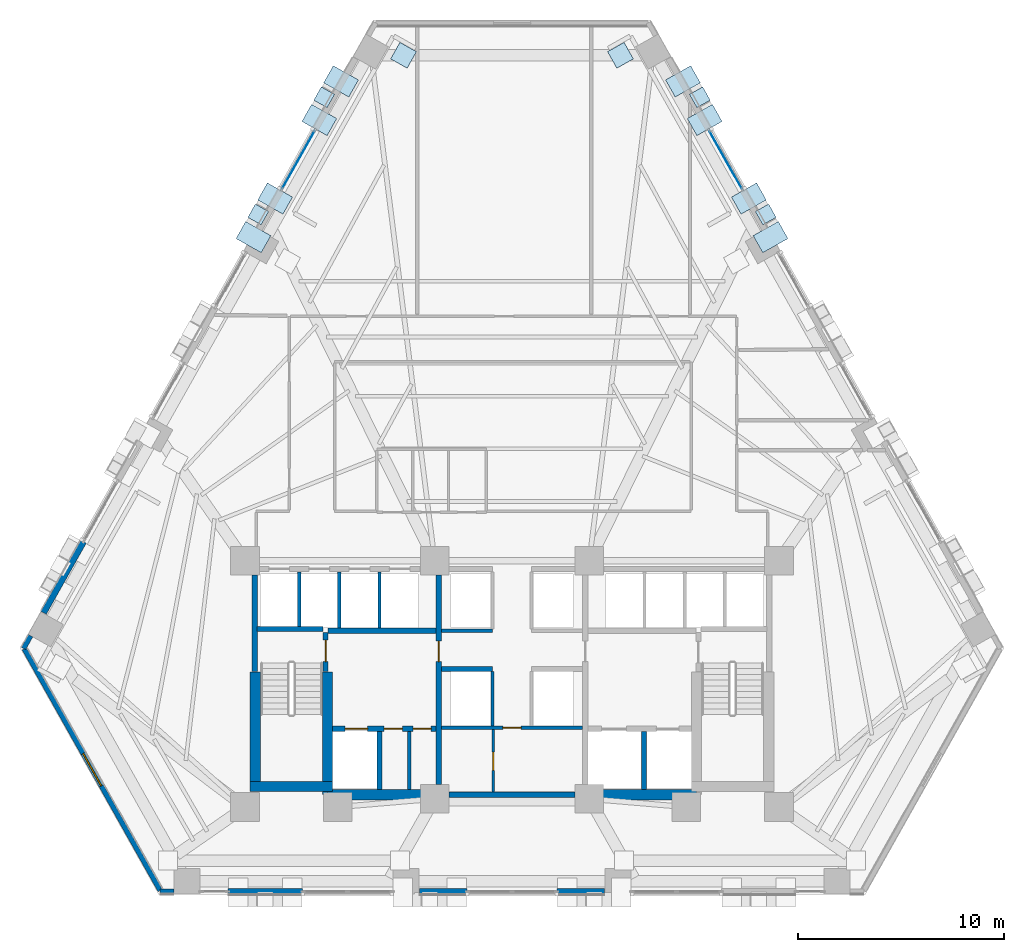
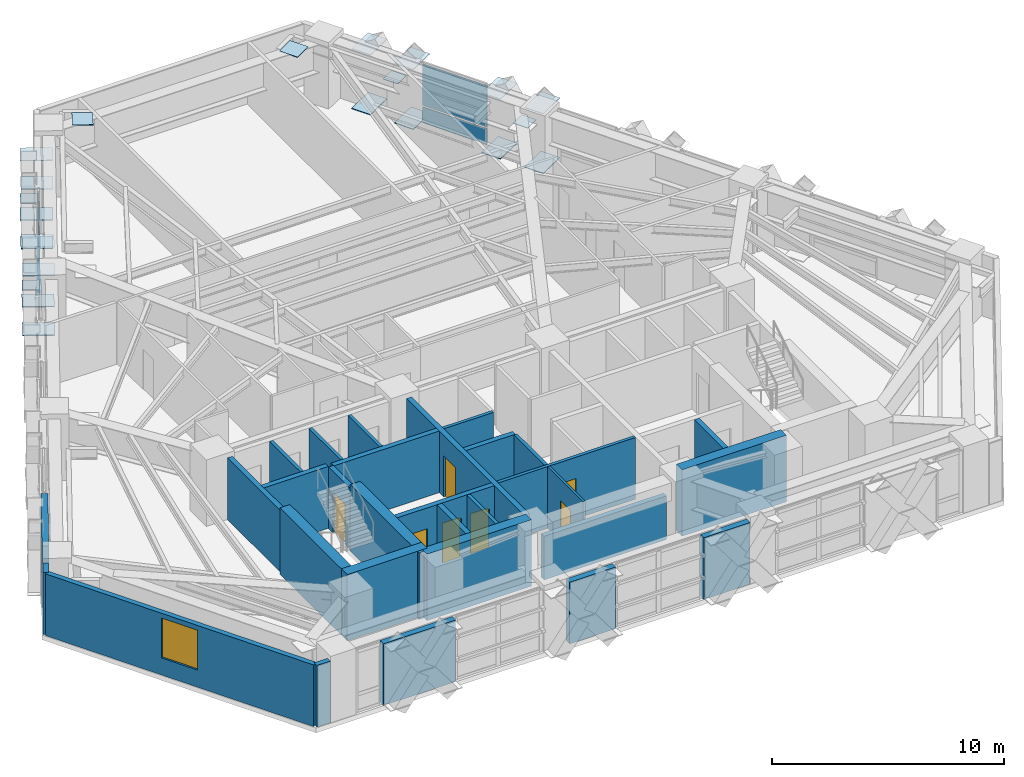
# One storey, part 7 of 14: 30 walls, 26 plates, 7 doors, 1 window, 8 openings, 2 elements without a shape of their own.
"""IFC4 building model written with IfcOpenShell, lengths in metres."""

from ifc_helpers import new_model, si_unit, direction, frame, frame_2d, origin, origin_2d, place, context, subcontext, project, spatial, rectangle, extrude, material, layer, layer_set, type_object, element, fill, aggregate, save


model = new_model("IFC4")

# Units and contexts
model_context = context("Model", 3, precision=1e-05, world=origin(), true_north=direction((0.0, 1.0)))
body_context = subcontext(model_context, "Body", "Model", "MODEL_VIEW")
ifc_project = project(units=[si_unit("LENGTHUNIT", "METRE"), si_unit("AREAUNIT", "SQUARE_METRE"), si_unit("VOLUMEUNIT", "CUBIC_METRE"), si_unit("PLANEANGLEUNIT", "RADIAN"), si_unit("MASSUNIT", "GRAM", prefix="KILO")], contexts=[model_context])

# Site, building, storey
site_placement = place(None, origin())
site = spatial("IfcSite", under=ifc_project, at=site_placement, CompositionType="ELEMENT")
building_placement = place(site_placement, origin())
building = spatial("IfcBuilding", under=site, at=building_placement, Name="Quenlor Broadcast Tower", CompositionType="ELEMENT")
storey_placement = place(building_placement, frame((0.0, 0.0, 73.10009765625)))
storey = spatial("IfcBuildingStorey", under=building, at=storey_placement, Name="L19", CompositionType="ELEMENT", Elevation=73.10009765625)

# Curtain wall, plates
ifc_material_1 = material(Name="Architectural Terracotta and Low-E Glazing", Category="masonry")
curtain_wall_type = type_object("IfcCurtainWallType", Name="Unitised Terracotta Curtain Wall System Z1", PredefinedType="NOTDEFINED", material=ifc_material_1)
curtain_wall_1_placement = place(storey_placement, origin())
curtain_wall_1 = element("IfcCurtainWall", 1, at=curtain_wall_1_placement, inside=storey, type_object=curtain_wall_type, Name="L19 Curtain Wall CW1 (L19-NEA-G1)", PredefinedType="NOTDEFINED")
ifc_material_2 = material(Name="Double Glazed Low-E Solar Glass", Category="glass")
ifc_layer_1 = layer(ifc_material_2, 0.031982421875)
ifc_layer_set_1 = layer_set([ifc_layer_1], Name="CW1 Double Glazed Vision Panel 32")
plate_type_1 = type_object("IfcPlateType", Name="CW1 Double Glazed Vision Panel 32", PredefinedType="CURTAIN_PANEL", material=ifc_layer_set_1)
plate_1_placement = place(storey_placement, frame((10.365234375, 14.646240234375, 0.079833984375), z_axis=(0.0, 0.0, 1.0), x_axis=(0.49024438836, -0.871585015751, 0.0)))
plate_1 = element("IfcPlate", 2, at=plate_1_placement, type_object=plate_type_1, Name="CW1 panel 1.1", PredefinedType="CURTAIN_PANEL", context=body_context, shape_type="SweptSolid", body=[
    extrude(rectangle(XDim=3.220947265625, YDim=0.031982421875, at=origin_2d()), origin(), (0.0, 0.0, 1.0), 0.830078125),
])
plate_2_placement = place(storey_placement, frame((10.365234375, 14.646240234375, 0.98974609375), z_axis=(0.0, 0.0, 1.0), x_axis=(0.49024438836, -0.871585015751, 0.0)))
plate_2 = element("IfcPlate", 3, at=plate_2_placement, type_object=plate_type_1, Name="CW1 panel 1.2", PredefinedType="CURTAIN_PANEL", context=body_context, shape_type="SweptSolid", body=[
    extrude(rectangle(XDim=3.220947265625, YDim=0.031982421875, at=origin_2d()), origin(), (0.0, 0.0, 1.0), 2.179931640625),
])
aggregate(curtain_wall_1, [plate_1, plate_2])

curtain_wall_2_placement = place(storey_placement, origin())
curtain_wall_2 = element("IfcCurtainWall", 4, at=curtain_wall_2_placement, inside=storey, type_object=curtain_wall_type, Name="L19 Curtain Wall CW1 (L19-NWC-G1)", PredefinedType="NOTDEFINED")
plate_3_placement = place(storey_placement, frame((-10.365234375, 14.646240234375, 0.079833984375), z_axis=(0.0, 0.0, 1.0), x_axis=(0.49024438836, 0.871585015751, 0.0)))
plate_3 = element("IfcPlate", 5, at=plate_3_placement, type_object=plate_type_1, Name="CW1 panel 1.1", PredefinedType="CURTAIN_PANEL", context=body_context, shape_type="SweptSolid", body=[
    extrude(rectangle(XDim=3.220947265625, YDim=0.031982421875, at=origin_2d()), origin(), (0.0, 0.0, 1.0), 0.830078125),
])
plate_4_placement = place(storey_placement, frame((-10.365234375, 14.646240234375, 0.98974609375), z_axis=(0.0, 0.0, 1.0), x_axis=(0.49024438836, 0.871585015751, 0.0)))
plate_4 = element("IfcPlate", 6, at=plate_4_placement, type_object=plate_type_1, Name="CW1 panel 1.2", PredefinedType="CURTAIN_PANEL", context=body_context, shape_type="SweptSolid", body=[
    extrude(rectangle(XDim=3.220947265625, YDim=0.031982421875, at=origin_2d()), origin(), (0.0, 0.0, 1.0), 2.179931640625),
])
aggregate(curtain_wall_2, [plate_3, plate_4])

# Plates
ifc_material_3 = material(Name="Steel S355", Category="steel")
ifc_layer_2 = layer(ifc_material_3, 0.031982421875)
ifc_layer_set_2 = layer_set([ifc_layer_2], Name="Lower Zone Setback Steel S355 Kink Cap Plate 920x920x32")
plate_type_2 = type_object("IfcPlateType", Name="Lower Zone Setback Steel S355 Kink Cap Plate 920x920x32", PredefinedType="USERDEFINED", material=ifc_layer_set_2)
for number, where, z_axis, x_axis, name in (
    (7, (5.26220703125, 19.718994140625, 3.2177734375), (0.0, 0.0, 1.0), (0.871575139605, 0.490261946333, 0.0), "L19 Setback Kink Plate NE4"),
    (8, (-5.26220703125, 19.718994140625, 3.2177734375), (0.0, 0.0, 1.0), (-0.871575139605, 0.490261946333, 0.0), "L19 Setback Kink Plate NW1"),
):
    element("IfcPlate", number, at=place(storey_placement, frame(where, z_axis=z_axis, x_axis=x_axis)), inside=storey, type_object=plate_type_2, Name=name, ObjectType="CAP PLATE", PredefinedType="USERDEFINED", context=body_context, shape_type="SweptSolid", body=[
        extrude(rectangle(XDim=0.919921875, YDim=0.919921875, at=origin_2d()), origin(), (0.0, 0.0, 1.0), 0.031982421875),
    ])
ifc_material_4 = material(Name="Steel S355", Category="steel")
ifc_layer_3 = layer(ifc_material_4, 0.028076171875)
ifc_layer_set_3 = layer_set([ifc_layer_3], Name="Perimeter Lattice Node Steel S355 Cap Plate 740x740x28")
plate_type_3 = type_object("IfcPlateType", Name="Perimeter Lattice Node Steel S355 Cap Plate 740x740x28", PredefinedType="USERDEFINED", material=ifc_layer_set_3)
for number, where, z_axis, x_axis, name in (
    (9, (9.111083984375, 17.681640625, 1.61572265625), (0.0, 0.0, 1.0), (0.490295412055, -0.871556314255, 0.0), "L19 Diamond Lattice Crossing Node NE-C1"),
    (10, (12.30810546875, 11.998291015625, 1.61572265625), (0.0, 0.0, 1.0), (0.490295412055, -0.871556314255, 0.0), "L19 Diamond Lattice Crossing Node NE-C2"),
    (11, (-12.30810546875, 11.998291015625, 1.61572265625), (0.0, 0.0, 1.0), (0.490295412055, 0.871556314255, 0.0), "L19 Diamond Lattice Crossing Node NW-C4"),
    (12, (-9.111083984375, 17.681640625, 1.61572265625), (0.0, 0.0, 1.0), (0.490295412055, 0.871556314255, 0.0), "L19 Diamond Lattice Crossing Node NW-C5"),
):
    element("IfcPlate", number, at=place(storey_placement, frame(where, z_axis=z_axis, x_axis=x_axis)), inside=storey, type_object=plate_type_3, Name=name, ObjectType="CAP PLATE", PredefinedType="USERDEFINED", context=body_context, shape_type="SweptSolid", body=[
        extrude(rectangle(XDim=0.739990234375, YDim=0.739990234375, at=origin_2d()), origin(), (0.0, 0.0, 1.0), 0.028076171875),
    ])
ifc_material_5 = material(Name="Steel S355", Category="steel")
ifc_layer_4 = layer(ifc_material_5, 0.035888671875)
ifc_layer_set_4 = layer_set([ifc_layer_4], Name="Transfer Truss Steel S355 Gusset Node Plate 1400x950x36")
plate_type_4 = type_object("IfcPlateType", Name="Transfer Truss Steel S355 Gusset Node Plate 1400x950x36", PredefinedType="SHEET", material=ifc_layer_set_4)
for number, where, z_axis, x_axis, name in (
    (13, (8.292724609375, 18.453125, 0.0419921875), (0.0, 0.0, 1.0), (0.871556314255, 0.490295412055, 0.0), "L19 Lattice Tie Gusset Node NE-B1"),
    (14, (9.345703125, 16.58154296875, 3.18212890625), (0.0, 0.0, 1.0), (0.871556314255, 0.490295412055, 0.0), "L19 Lattice Tie Gusset Node NE-T2"),
    (15, (9.345703125, 16.58154296875, 0.0419921875), (0.0, 0.0, 1.0), (0.871556314255, 0.490295412055, 0.0), "L19 Lattice Tie Gusset Node NE-B2"),
    (16, (8.292724609375, 18.453125, 3.18212890625), (0.0, 0.0, 1.0), (0.871556314255, 0.490295412055, 0.0), "L19 Lattice Tie Gusset Node NE-T1"),
    (17, (11.489501953125, 12.77001953125, 0.0419921875), (0.0, 0.0, 1.0), (0.871556314255, 0.490295412055, 0.0), "L19 Lattice Tie Gusset Node NE-B4"),
    (18, (12.54248046875, 10.898193359375, 3.18212890625), (0.0, 0.0, 1.0), (0.871556314255, 0.490295412055, 0.0), "L19 Lattice Tie Gusset Node NE-T5"),
    (19, (12.54248046875, 10.898193359375, 0.0419921875), (0.0, 0.0, 1.0), (0.871556314255, 0.490295412055, 0.0), "L19 Lattice Tie Gusset Node NE-B5"),
    (20, (11.489501953125, 12.77001953125, 3.18212890625), (0.0, 0.0, 1.0), (0.871556314255, 0.490295412055, 0.0), "L19 Lattice Tie Gusset Node NE-T4"),
    (21, (-12.54248046875, 10.898193359375, 0.0419921875), (0.0, 0.0, 1.0), (-0.871556314255, 0.490295412055, 0.0), "L19 Lattice Tie Gusset Node NW-B10"),
    (22, (-11.489501953125, 12.77001953125, 3.18212890625), (0.0, 0.0, 1.0), (-0.871556314255, 0.490295412055, 0.0), "L19 Lattice Tie Gusset Node NW-T11"),
    (23, (-11.489501953125, 12.77001953125, 0.0419921875), (0.0, 0.0, 1.0), (-0.871556314255, 0.490295412055, 0.0), "L19 Lattice Tie Gusset Node NW-B11"),
    (24, (-12.54248046875, 10.898193359375, 3.18212890625), (0.0, 0.0, 1.0), (-0.871556314255, 0.490295412055, 0.0), "L19 Lattice Tie Gusset Node NW-T10"),
    (25, (-9.345703125, 16.58154296875, 0.0419921875), (0.0, 0.0, 1.0), (-0.871556314255, 0.490295412055, 0.0), "L19 Lattice Tie Gusset Node NW-B13"),
    (26, (-8.292724609375, 18.453125, 3.18212890625), (0.0, 0.0, 1.0), (-0.871556314255, 0.490295412055, 0.0), "L19 Lattice Tie Gusset Node NW-T14"),
    (27, (-8.292724609375, 18.453125, 0.0419921875), (0.0, 0.0, 1.0), (-0.871556314255, 0.490295412055, 0.0), "L19 Lattice Tie Gusset Node NW-B14"),
    (28, (-9.345703125, 16.58154296875, 3.18212890625), (0.0, 0.0, 1.0), (-0.871556314255, 0.490295412055, 0.0), "L19 Lattice Tie Gusset Node NW-T13"),
):
    element("IfcPlate", number, at=place(storey_placement, frame(where, z_axis=z_axis, x_axis=x_axis)), inside=storey, type_object=plate_type_4, Name=name, PredefinedType="SHEET", context=body_context, shape_type="SweptSolid", body=[
        extrude(rectangle(XDim=1.39990234375, YDim=0.949951171875, at=origin_2d()), origin(), (0.0, 0.0, 1.0), 0.035888671875),
    ])

# Walls
ifc_material_6 = material(Name="Concrete C65/80", Category="concrete")
ifc_layer_5 = layer(ifc_material_6, 0.5)
ifc_layer_set_5 = layer_set([ifc_layer_5], Name="Core Concrete C65/80 Shear Wall 500")
wall_type_1 = type_object("IfcWallType", Name="Core Concrete C65/80 Shear Wall 500", PredefinedType="SHEAR", material=ifc_layer_set_5)
wall_1_placement = place(storey_placement, frame((-12.699951171875, -15.75, 0.0), z_axis=(0.0, 0.0, 1.0), x_axis=(1.0, 0.0, 0.0)))
element("IfcWall", 29, at=wall_1_placement, inside=storey, type_object=wall_type_1, Name="L19 Core Shear Wall WS-W1", PredefinedType="SHEAR", context=body_context, shape_type="SweptSolid", body=[
    extrude(rectangle(XDim=4.0, YDim=0.5, at=frame_2d((2.0, 0.0))), origin(), (0.0, 0.0, 1.0), 3.5),
])
for number, where, z_axis, x_axis, name in (
    (30, (-8.949951171875, -16.14990234375, 0.0), (0.0, 0.0, 1.0), (1.0, 0.0, 0.0), "L19 Core Shear Wall WS-W2"),
    (31, (3.75, -16.14990234375, 0.0), (0.0, 0.0, 1.0), (1.0, 0.0, 0.0), "L19 Core Shear Wall WS-E1"),
):
    element("IfcWall", number, at=place(storey_placement, frame(where, z_axis=z_axis, x_axis=x_axis)), inside=storey, type_object=wall_type_1, Name=name, PredefinedType="SHEAR", context=body_context, shape_type="SweptSolid", body=[
        extrude(rectangle(XDim=5.199951171875, YDim=0.5, at=frame_2d((2.60009765625, 0.0))), origin(), (0.0, 0.0, 1.0), 3.5),
    ])
wall_2_placement = place(storey_placement, frame((-12.449951171875, -15.75, 0.0), z_axis=(0.0, 0.0, 1.0), x_axis=(0.0, 1.0, 0.0)))
element("IfcWall", 32, at=wall_2_placement, inside=storey, type_object=wall_type_1, Name="L19 Core Shear Wall WF-W", PredefinedType="SHEAR", context=body_context, shape_type="SweptSolid", body=[
    extrude(rectangle(XDim=5.550048828125, YDim=0.5, at=frame_2d((2.77490234375, 0.0))), origin(), (0.0, 0.0, 1.0), 3.5),
])
wall_3_placement = place(storey_placement, frame((-8.949951171875, -16.14990234375, 0.0), z_axis=(0.0, 0.0, 1.0), x_axis=(0.0, 1.0, 0.0)))
element("IfcWall", 33, at=wall_3_placement, inside=storey, type_object=wall_type_1, Name="L19 Core Shear Wall WI-W", PredefinedType="SHEAR", context=body_context, shape_type="SweptSolid", body=[
    extrude(rectangle(XDim=5.949951171875, YDim=0.5, at=frame_2d((2.97509765625, 0.0))), origin(), (0.0, 0.0, 1.0), 3.5),
])

# Wall, opening, door
ifc_material_7 = material(Name="Concrete C40/50", Category="concrete")
ifc_layer_6 = layer(ifc_material_7, 0.25)
ifc_layer_set_6 = layer_set([ifc_layer_6], Name="Fire Rated Concrete C40/50 Core Wall 250")
wall_type_2 = type_object("IfcWallType", Name="Fire Rated Concrete C40/50 Core Wall 250", PredefinedType="PARTITIONING", material=ifc_layer_set_6)
wall_4_placement = place(storey_placement, frame((-9.0400390625, -10.179931640625, 0.0), z_axis=(0.0, 0.0, 1.0), x_axis=(0.0, 1.0, 0.0)))
wall_4 = element("IfcWall", 34, at=wall_4_placement, inside=storey, type_object=wall_type_2, Name="L19 Interior Wall CW-ST1-DR", PredefinedType="PARTITIONING", context=body_context, shape_type="SweptSolid", body=[
    extrude(rectangle(XDim=1.89990234375, YDim=0.25, at=frame_2d((0.949951171875, 0.0))), origin(), (0.0, 0.0, 1.0), 3.25),
])
opening_1_placement = place(wall_4_placement, frame((0.47998046875, 0.0, 0.0)))
opening_1 = element("IfcOpeningElement", 35, at=opening_1_placement, cuts=wall_4, Name="Opening FD-1", PredefinedType="OPENING", context=body_context, shape_type="SweptSolid", body=[
    extrude(rectangle(XDim=1.050048828125, YDim=2.14990234375, at=frame_2d((0.52490234375, 1.074951171875))), frame((0.0, 0.135009765625, 0.0), z_axis=(0.0, -1.0, 0.0), x_axis=(1.0, 0.0, 0.0)), (0.0, 0.0, 1.0), 0.27001953125),
])
ifc_material_8 = material(Name="Fire Rated Steel Door Leaf", Category="steel")
door_type_1 = type_object("IfcDoorType", Name="Fire Isolated Stair Door 1050x2150", OperationType="NOTDEFINED", PredefinedType="DOOR", material=ifc_material_8)
door_1_placement = place(opening_1_placement, origin())
door_1 = element("IfcDoor", 36, at=door_1_placement, inside=storey, type_object=door_type_1, Name="L19 Door DR-ST1", OperationType="SINGLE_SWING_LEFT", OverallHeight=2.14990234375, OverallWidth=1.050048828125, PredefinedType="DOOR", context=body_context, shape_type="SweptSolid", body=[
    extrude(rectangle(XDim=1.050048828125, YDim=2.14990234375, at=frame_2d((0.52490234375, 1.074951171875))), frame((0.0, 0.02490234375, 0.0), z_axis=(0.0, -1.0, 0.0), x_axis=(1.0, 0.0, 0.0)), (0.0, 0.0, 1.0), 0.050048828125),
])
fill(opening_1, door_1)

# Walls
wall_5_placement = place(storey_placement, frame((-12.3798828125, -8.1201171875, 0.0), z_axis=(0.0, 0.0, 1.0), x_axis=(1.0, 0.0, 0.0)))
element("IfcWall", 37, at=wall_5_placement, inside=storey, type_object=wall_type_2, Name="L19 Interior Wall CW-ST1-N", PredefinedType="PARTITIONING", context=body_context, shape_type="SweptSolid", body=[
    extrude(rectangle(XDim=3.219970703125, YDim=0.25, at=frame_2d((1.60986328125, 0.0))), origin(), (0.0, 0.0, 1.0), 3.25),
])
wall_6_placement = place(storey_placement, frame((-12.47998046875, -10.179931640625, 0.0), z_axis=(0.0, 0.0, 1.0), x_axis=(0.0, 1.0, 0.0)))
element("IfcWall", 38, at=wall_6_placement, inside=storey, type_object=wall_type_2, Name="L19 Interior Wall CW-ST1-W2", PredefinedType="PARTITIONING", context=body_context, shape_type="SweptSolid", body=[
    extrude(rectangle(XDim=4.677978515625, YDim=0.25, at=frame_2d((2.3388671875, 0.0))), origin(), (0.0, 0.0, 1.0), 3.25),
])

# Wall, openings, doors
wall_7_placement = place(storey_placement, frame((-8.697998046875, -12.949951171875, 0.0), z_axis=(0.0, 0.0, 1.0), x_axis=(1.0, 0.0, 0.0)))
wall_7 = element("IfcWall", 39, at=wall_7_placement, inside=storey, type_object=wall_type_2, Name="L19 Interior Wall CW-FFW-S", PredefinedType="PARTITIONING", context=body_context, shape_type="SweptSolid", body=[
    extrude(rectangle(XDim=5.01806640625, YDim=0.25, at=frame_2d((2.509033203125, 0.0))), origin(), (0.0, 0.0, 1.0), 3.25),
])
opening_2_placement = place(wall_7_placement, frame((0.597900390625, 0.0, 0.0)))
opening_2 = element("IfcOpeningElement", 40, at=opening_2_placement, cuts=wall_7, Name="Opening LD-FFL-1", PredefinedType="OPENING", context=body_context, shape_type="SweptSolid", body=[
    extrude(rectangle(XDim=1.10009765625, YDim=2.14990234375, at=frame_2d((0.550048828125, 1.074951171875))), frame((0.0, 0.135009765625, 0.0), z_axis=(0.0, -1.0, 0.0), x_axis=(1.0, 0.0, 0.0)), (0.0, 0.0, 1.0), 0.27001953125),
])
opening_3_placement = place(wall_7_placement, frame((2.498046875, 0.0, 0.0)))
opening_3 = element("IfcOpeningElement", 41, at=opening_3_placement, cuts=wall_7, Name="Opening TD-1", PredefinedType="OPENING", context=body_context, shape_type="SweptSolid", body=[
    extrude(rectangle(XDim=0.8798828125, YDim=2.10009765625, at=frame_2d((0.43994140625, 1.050048828125))), frame((0.0, 0.135009765625, 0.0), z_axis=(0.0, -1.0, 0.0), x_axis=(1.0, 0.0, 0.0)), (0.0, 0.0, 1.0), 0.27001953125),
])
opening_4_placement = place(wall_7_placement, frame((3.89794921875, 0.0, 0.0)))
opening_4 = element("IfcOpeningElement", 42, at=opening_4_placement, cuts=wall_7, Name="Opening TD-1", PredefinedType="OPENING", context=body_context, shape_type="SweptSolid", body=[
    extrude(rectangle(XDim=0.8798828125, YDim=2.10009765625, at=frame_2d((0.43994140625, 1.050048828125))), frame((0.0, 0.135009765625, 0.0), z_axis=(0.0, -1.0, 0.0), x_axis=(1.0, 0.0, 0.0)), (0.0, 0.0, 1.0), 0.27001953125),
])
ifc_material_9 = material(Name="Brushed Stainless Steel", Category="steel")
door_type_2 = type_object("IfcDoorType", Name="Emergency Lift Sliding Landing Door 1100x2150", OperationType="NOTDEFINED", PredefinedType="DOOR", material=ifc_material_9)
door_2_placement = place(opening_2_placement, origin())
door_2 = element("IfcDoor", 43, at=door_2_placement, inside=storey, type_object=door_type_2, Name="L19 Door LD-FFL-1", OperationType="SLIDING_TO_LEFT", OverallHeight=2.14990234375, OverallWidth=1.10009765625, PredefinedType="DOOR", context=body_context, shape_type="SweptSolid", body=[
    extrude(rectangle(XDim=1.10009765625, YDim=2.14990234375, at=frame_2d((0.550048828125, 1.074951171875))), frame((0.0, 0.02490234375, 0.0), z_axis=(0.0, -1.0, 0.0), x_axis=(1.0, 0.0, 0.0)), (0.0, 0.0, 1.0), 0.050048828125),
])
fill(opening_2, door_2)
ifc_material_10 = material(Name="Fire Rated Steel Access Panel", Category="steel")
door_type_3 = type_object("IfcDoorType", Name="Riser Shaft Rated Access Trapdoor 880x2100", OperationType="NOTDEFINED", PredefinedType="TRAPDOOR", material=ifc_material_10)
door_3_placement = place(opening_3_placement, origin())
door_3 = element("IfcDoor", 44, at=door_3_placement, inside=storey, type_object=door_type_3, Name="L19 Door DR-ELR", OperationType="SINGLE_SWING_LEFT", OverallHeight=2.10009765625, OverallWidth=0.8798828125, PredefinedType="TRAPDOOR", context=body_context, shape_type="SweptSolid", body=[
    extrude(rectangle(XDim=0.8798828125, YDim=2.10009765625, at=frame_2d((0.43994140625, 1.050048828125))), frame((0.0, 0.02490234375, 0.0), z_axis=(0.0, -1.0, 0.0), x_axis=(1.0, 0.0, 0.0)), (0.0, 0.0, 1.0), 0.050048828125),
])
fill(opening_3, door_3)
door_4_placement = place(opening_4_placement, origin())
door_4 = element("IfcDoor", 45, at=door_4_placement, inside=storey, type_object=door_type_3, Name="L19 Door DR-CMR", OperationType="SINGLE_SWING_RIGHT", OverallHeight=2.10009765625, OverallWidth=0.8798828125, PredefinedType="TRAPDOOR", context=body_context, shape_type="SweptSolid", body=[
    extrude(rectangle(XDim=0.8798828125, YDim=2.10009765625, at=frame_2d((0.43994140625, 1.050048828125))), frame((0.0, 0.02490234375, 0.0), z_axis=(0.0, -1.0, 0.0), x_axis=(1.0, 0.0, 0.0)), (0.0, 0.0, 1.0), 0.050048828125),
])
fill(opening_4, door_4)

# Walls
for number, where, z_axis, x_axis, name in (
    (46, (-6.419921875, -15.89794921875, 0.0), (0.0, 0.0, 1.0), (0.0, 1.0, 0.0), "L19 Interior Wall CW-FF1-E"),
    (47, (6.39990234375, -15.89794921875, 0.0), (0.0, 0.0, 1.0), (0.0, 1.0, 0.0), "L19 Interior Wall CW-SV1-E"),
):
    element("IfcWall", number, at=place(storey_placement, frame(where, z_axis=z_axis, x_axis=x_axis)), inside=storey, type_object=wall_type_2, Name=name, PredefinedType="PARTITIONING", context=body_context, shape_type="SweptSolid", body=[
        extrude(rectangle(XDim=2.807861328125, YDim=0.25, at=frame_2d((1.40380859375, 0.0))), origin(), (0.0, 0.0, 1.0), 3.25),
    ])
wall_8_placement = place(storey_placement, frame((-8.919921875, -8.199951171875, 0.0), z_axis=(0.0, 0.0, 1.0), x_axis=(1.0, 0.0, 0.0)))
element("IfcWall", 48, at=wall_8_placement, inside=storey, type_object=wall_type_2, Name="L19 Interior Wall CW-FFW-N", PredefinedType="PARTITIONING", context=body_context, shape_type="SweptSolid", body=[
    extrude(rectangle(XDim=5.239990234375, YDim=0.25, at=frame_2d((2.6201171875, 0.0))), origin(), (0.0, 0.0, 1.0), 3.25),
])

# Wall, opening, door
wall_9_placement = place(storey_placement, frame((-3.550048828125, -15.64794921875, 0.0), z_axis=(0.0, 0.0, 1.0), x_axis=(0.0, 1.0, 0.0)))
wall_9 = element("IfcWall", 49, at=wall_9_placement, inside=storey, type_object=wall_type_2, Name="L19 Interior Wall CW-FFW-E", PredefinedType="PARTITIONING", context=body_context, shape_type="SweptSolid", body=[
    extrude(rectangle(XDim=10.14599609375, YDim=0.25, at=frame_2d((5.072998046875, 0.0))), origin(), (0.0, 0.0, 1.0), 3.25),
])
opening_5_placement = place(wall_9_placement, frame((5.947998046875, 0.0, 0.0)))
opening_5 = element("IfcOpeningElement", 50, at=opening_5_placement, cuts=wall_9, Name="Opening FD-2", PredefinedType="OPENING", context=body_context, shape_type="SweptSolid", body=[
    extrude(rectangle(XDim=1.0, YDim=2.14990234375, at=frame_2d((0.5, 1.074951171875))), frame((0.0, 0.135009765625, 0.0), z_axis=(0.0, -1.0, 0.0), x_axis=(1.0, 0.0, 0.0)), (0.0, 0.0, 1.0), 0.27001953125),
])
ifc_material_11 = material(Name="Fire Rated Glazed Steel Door", Category="steel")
door_type_4 = type_object("IfcDoorType", Name="Firefighting Lobby Smoke Door 1000x2150", OperationType="NOTDEFINED", PredefinedType="DOOR", material=ifc_material_11)
door_5_placement = place(opening_5_placement, origin())
door_5 = element("IfcDoor", 51, at=door_5_placement, inside=storey, type_object=door_type_4, Name="L19 Door DR-FFLW", OperationType="SINGLE_SWING_RIGHT", OverallHeight=2.14990234375, OverallWidth=1.0, PredefinedType="DOOR", context=body_context, shape_type="SweptSolid", body=[
    extrude(rectangle(XDim=1.0, YDim=2.14990234375, at=frame_2d((0.5, 1.074951171875))), frame((0.0, 0.02490234375, 0.0), z_axis=(0.0, -1.0, 0.0), x_axis=(1.0, 0.0, 0.0)), (0.0, 0.0, 1.0), 0.050048828125),
])
fill(opening_5, door_5)

# Walls
wall_10_placement = place(storey_placement, frame((-3.048095703125, -16.14990234375, 0.0), z_axis=(0.0, 0.0, 1.0), x_axis=(1.0, 0.0, 0.0)))
element("IfcWall", 52, at=wall_10_placement, inside=storey, type_object=wall_type_2, Name="L19 Interior Wall CW-MS-S", PredefinedType="PARTITIONING", context=body_context, shape_type="SweptSolid", body=[
    extrude(rectangle(XDim=6.09619140625, YDim=0.25, at=frame_2d((3.048095703125, 0.0))), origin(), (0.0, 0.0, 1.0), 2.2998046875),
])
wall_11_placement = place(storey_placement, frame((-3.419921875, -10.050048828125, 0.0), z_axis=(0.0, 0.0, 1.0), x_axis=(1.0, 0.0, 0.0)))
element("IfcWall", 53, at=wall_11_placement, inside=storey, type_object=wall_type_2, Name="L19 Interior Wall CW-MS-N1", PredefinedType="PARTITIONING", context=body_context, shape_type="SweptSolid", body=[
    extrude(rectangle(XDim=2.469970703125, YDim=0.25, at=frame_2d((1.23486328125, 0.0))), origin(), (0.0, 0.0, 1.0), 3.25),
])
ifc_material_12 = material(Name="Gypsum Fireboard Partition", Category="other")
ifc_layer_7 = layer(ifc_material_12, 0.159912109375)
ifc_layer_set_7 = layer_set([ifc_layer_7], Name="Fire Rated Shaft and Corridor Partition 160")
wall_type_3 = type_object("IfcWallType", Name="Fire Rated Shaft and Corridor Partition 160", PredefinedType="PARTITIONING", material=ifc_layer_set_7)
wall_12_placement = place(storey_placement, frame((-4.97998046875, -15.89794921875, 0.0), z_axis=(0.0, 0.0, 1.0), x_axis=(0.0, 1.0, 0.0)))
element("IfcWall", 54, at=wall_12_placement, inside=storey, type_object=wall_type_3, Name="L19 Interior Wall CW-ELR-E", PredefinedType="PARTITIONING", context=body_context, shape_type="SweptSolid", body=[
    extrude(rectangle(XDim=2.807861328125, YDim=0.159912109375, at=frame_2d((1.40380859375, 0.0))), origin(), (0.0, 0.0, 1.0), 3.25),
])
wall_13_placement = place(storey_placement, frame((-10.324951171875, -7.992919921875, 0.0), z_axis=(0.0, 0.0, 1.0), x_axis=(0.0, 1.0, 0.0)))
element("IfcWall", 55, at=wall_13_placement, inside=storey, type_object=wall_type_3, Name="L19 Interior Wall CW-PLL-D1", PredefinedType="PARTITIONING", context=body_context, shape_type="SweptSolid", body=[
    extrude(rectangle(XDim=2.65283203125, YDim=0.159912109375, at=frame_2d((1.326416015625, 0.0))), origin(), (0.0, 0.0, 1.0), 3.25),
])
for number, where, z_axis, x_axis, name in (
    (56, (-8.375, -8.072998046875, 0.0), (0.0, 0.0, 1.0), (0.0, 1.0, 0.0), "L19 Interior Wall CW-PLL-D2"),
    (57, (-6.425048828125, -8.072998046875, 0.0), (0.0, 0.0, 1.0), (0.0, 1.0, 0.0), "L19 Interior Wall CW-PLL-D3"),
):
    element("IfcWall", number, at=place(storey_placement, frame(where, z_axis=z_axis, x_axis=x_axis)), inside=storey, type_object=wall_type_3, Name=name, PredefinedType="PARTITIONING", context=body_context, shape_type="SweptSolid", body=[
        extrude(rectangle(XDim=2.73291015625, YDim=0.159912109375, at=frame_2d((1.366455078125, 0.0))), origin(), (0.0, 0.0, 1.0), 3.25),
    ])
wall_14_placement = place(storey_placement, frame((-3.419921875, -8.199951171875, 0.0), z_axis=(0.0, 0.0, 1.0), x_axis=(1.0, 0.0, 0.0)))
element("IfcWall", 58, at=wall_14_placement, inside=storey, type_object=wall_type_3, Name="L19 Interior Wall CW-M-BACK1", PredefinedType="PARTITIONING", context=body_context, shape_type="SweptSolid", body=[
    extrude(rectangle(XDim=2.469970703125, YDim=0.159912109375, at=frame_2d((1.23486328125, 0.0))), origin(), (0.0, 0.0, 1.0), 3.25),
])

# Wall, opening, door
wall_15_placement = place(storey_placement, frame((-3.419921875, -12.89990234375, 0.0), z_axis=(0.0, 0.0, 1.0), x_axis=(1.0, 0.0, 0.0)))
wall_15 = element("IfcWall", 59, at=wall_15_placement, inside=storey, type_object=wall_type_3, Name="L19 Interior Wall CW-MS-B", PredefinedType="PARTITIONING", context=body_context, shape_type="SweptSolid", body=[
    extrude(rectangle(XDim=6.83984375, YDim=0.159912109375, at=frame_2d((3.419921875, 0.0))), origin(), (0.0, 0.0, 1.0), 3.25),
])
opening_6_placement = place(wall_15_placement, frame((2.97998046875, 0.0, 0.0)))
opening_6 = element("IfcOpeningElement", 60, at=opening_6_placement, cuts=wall_15, Name="Opening ID-4", PredefinedType="OPENING", context=body_context, shape_type="SweptSolid", body=[
    extrude(rectangle(XDim=0.8798828125, YDim=2.1201171875, at=frame_2d((0.43994140625, 1.06005859375))), frame((0.0, 0.08984375, 0.0), z_axis=(0.0, -1.0, 0.0), x_axis=(1.0, 0.0, 0.0)), (0.0, 0.0, 1.0), 0.179931640625),
])
ifc_material_13 = material(Name="Solid Core Timber Oak", Category="wood")
door_type_5 = type_object("IfcDoorType", Name="Service Closet Timber Door 880x2120", OperationType="NOTDEFINED", PredefinedType="DOOR", material=ifc_material_13)
door_6_placement = place(opening_6_placement, origin())
door_6 = element("IfcDoor", 61, at=door_6_placement, inside=storey, type_object=door_type_5, Name="L19 Door DR-CSV0", OperationType="SINGLE_SWING_LEFT", OverallHeight=2.1201171875, OverallWidth=0.8798828125, PredefinedType="DOOR", context=body_context, shape_type="SweptSolid", body=[
    extrude(rectangle(XDim=0.8798828125, YDim=2.1201171875, at=frame_2d((0.43994140625, 1.06005859375))), frame((0.0, 0.02490234375, 0.0), z_axis=(0.0, -1.0, 0.0), x_axis=(1.0, 0.0, 0.0)), (0.0, 0.0, 1.0), 0.050048828125),
])
fill(opening_6, door_6)

# Wall
wall_16_placement = place(storey_placement, frame((-0.949951171875, -12.818115234375, 0.0), z_axis=(0.0, 0.0, 1.0), x_axis=(0.0, 1.0, 0.0)))
element("IfcWall", 62, at=wall_16_placement, inside=storey, type_object=wall_type_3, Name="L19 Interior Wall CW-MS-W", PredefinedType="PARTITIONING", context=body_context, shape_type="SweptSolid", body=[
    extrude(rectangle(XDim=2.63818359375, YDim=0.159912109375, at=frame_2d((1.319091796875, 0.0))), origin(), (0.0, 0.0, 1.0), 3.25),
])

# Wall, opening, door
ifc_material_14 = material(Name="Gypsum Plasterboard Partition", Category="other")
ifc_layer_8 = layer(ifc_material_14, 0.1201171875)
ifc_layer_set_8 = layer_set([ifc_layer_8], Name="Standard Office Partition 120")
wall_type_4 = type_object("IfcWallType", Name="Standard Office Partition 120", PredefinedType="PARTITIONING", material=ifc_layer_set_8)
wall_17_placement = place(storey_placement, frame((-0.909912109375, -16.02001953125, 0.0), z_axis=(0.0, 0.0, 1.0), x_axis=(0.0, 1.0, 0.0)))
wall_17 = element("IfcWall", 63, at=wall_17_placement, inside=storey, type_object=wall_type_4, Name="L19 Interior Wall CW-CSV-W1", PredefinedType="PARTITIONING", context=body_context, shape_type="SweptSolid", body=[
    extrude(rectangle(XDim=3.0380859375, YDim=0.1201171875, at=frame_2d((1.51904296875, 0.0))), origin(), (0.0, 0.0, 1.0), 3.25),
])
opening_7_placement = place(wall_17_placement, frame((1.050048828125, 0.0, 0.0)))
opening_7 = element("IfcOpeningElement", 64, at=opening_7_placement, cuts=wall_17, Name="Opening ID-4", PredefinedType="OPENING", context=body_context, shape_type="SweptSolid", body=[
    extrude(rectangle(XDim=0.8798828125, YDim=2.1201171875, at=frame_2d((0.43994140625, 1.06005859375))), frame((0.0, 0.070068359375, 0.0), z_axis=(0.0, -1.0, 0.0), x_axis=(1.0, 0.0, 0.0)), (0.0, 0.0, 1.0), 0.14013671875),
])
door_7_placement = place(opening_7_placement, origin())
door_7 = element("IfcDoor", 65, at=door_7_placement, inside=storey, type_object=door_type_5, Name="L19 Door DR-CSV1", OperationType="SINGLE_SWING_LEFT", OverallHeight=2.1201171875, OverallWidth=0.8798828125, PredefinedType="DOOR", context=body_context, shape_type="SweptSolid", body=[
    extrude(rectangle(XDim=0.8798828125, YDim=2.1201171875, at=frame_2d((0.43994140625, 1.06005859375))), frame((0.0, 0.02490234375, 0.0), z_axis=(0.0, -1.0, 0.0), x_axis=(1.0, 0.0, 0.0)), (0.0, 0.0, 1.0), 0.050048828125),
])
fill(opening_7, door_7)

# Walls
ifc_material_15 = material(Name="Precast concrete C40/50", Category="concrete")
ifc_layer_9 = layer(ifc_material_15, 0.239990234375)
ifc_layer_set_9 = layer_set([ifc_layer_9], Name="Terrace Threshold Precast Concrete C40/50 Wall 240")
wall_type_5 = type_object("IfcWallType", Name="Terrace Threshold Precast Concrete C40/50 Wall 240", PredefinedType="STANDARD", material=ifc_layer_set_9)
wall_18_placement = place(storey_placement, frame((-16.39501953125, -20.840087890625, 0.0), z_axis=(0.0, 0.0, 1.0), x_axis=(-1.0, 0.0, 0.0)))
element("IfcWall", 66, at=wall_18_placement, inside=storey, type_object=wall_type_5, Name="L19 Exterior Wall L19-SHD-SS1", PredefinedType="STANDARD", context=body_context, shape_type="SweptSolid", body=[
    extrude(rectangle(XDim=0.680908203125, YDim=0.239990234375, at=frame_2d((0.34033203125, 0.0))), origin(), (0.0, 0.0, 1.0), 3.25),
])
wall_19_placement = place(storey_placement, frame((-23.69921875, -9.05810546875, 0.0), z_axis=(0.0, 0.0, 1.0), x_axis=(0.490523074758, 0.871428203084, 0.0)))
element("IfcWall", 67, at=wall_19_placement, inside=storey, type_object=wall_type_5, Name="L19 Exterior Wall L19-SHD-NWS0", PredefinedType="STANDARD", context=body_context, shape_type="SweptSolid", body=[
    extrude(rectangle(XDim=0.708251953125, YDim=0.239990234375, at=frame_2d((0.35400390625, 0.0))), origin(), (0.0, 0.0, 1.0), 3.25),
])

# Wall, opening, window
wall_20_placement = place(storey_placement, frame((-23.659912109375, -9.07568359375, 0.0), z_axis=(0.0, 0.0, 1.0), x_axis=(0.490268135177, -0.871571658345, 0.0)))
wall_20 = element("IfcWall", 68, at=wall_20_placement, inside=storey, type_object=wall_type_5, Name="L19 Exterior Wall L19-CNR-04", PredefinedType="STANDARD", context=body_context, shape_type="SweptSolid", body=[
    extrude(rectangle(XDim=13.44775390625, YDim=0.239990234375, at=frame_2d((6.723876953125, 0.0))), origin(), (0.0, 0.0, 1.0), 3.25),
])
opening_8_placement = place(wall_20_placement, frame((5.823974609375, 0.0, 0.89990234375)))
opening_8 = element("IfcOpeningElement", 69, at=opening_8_placement, cuts=wall_20, Name="Opening WN-1", PredefinedType="OPENING", context=body_context, shape_type="SweptSolid", body=[
    extrude(rectangle(XDim=1.800048828125, YDim=2.10009765625, at=frame_2d((0.89990234375, 1.050048828125))), frame((0.0, 0.1298828125, 0.0), z_axis=(0.0, -1.0, 0.0), x_axis=(1.0, 0.0, 0.0)), (0.0, 0.0, 1.0), 0.260009765625),
])
ifc_material_16 = material(Name="Thermally Broken Aluminium and Low-E Glass", Category="aluminium")
window_type = type_object("IfcWindowType", Name="Tower Acoustic Vision Window 1800x2100", PartitioningType="SINGLE_PANEL", PredefinedType="WINDOW", material=ifc_material_16)
window_placement = place(opening_8_placement, origin())
window = element("IfcWindow", 70, at=window_placement, inside=storey, type_object=window_type, Name="L19 Corner Chamfer Window 4", OverallHeight=2.10009765625, OverallWidth=1.800048828125, PartitioningType="SINGLE_PANEL", PredefinedType="WINDOW", context=body_context, shape_type="SweptSolid", body=[
    extrude(rectangle(XDim=1.800048828125, YDim=2.10009765625, at=frame_2d((0.89990234375, 1.050048828125))), frame((0.0, 0.030029296875, 0.0), z_axis=(0.0, -1.0, 0.0), x_axis=(1.0, 0.0, 0.0)), (0.0, 0.0, 1.0), 0.06005859375),
])
fill(opening_8, window)

# Walls
ifc_material_17 = material(Name="Precast concrete C40/50", Category="concrete")
ifc_layer_10 = layer(ifc_material_17, 0.300048828125)
ifc_layer_set_10 = layer_set([ifc_layer_10], Name="Terracotta Precast Concrete C40/50 Spandrel Wall 300")
wall_type_6 = type_object("IfcWallType", Name="Terracotta Precast Concrete C40/50 Spandrel Wall 300", PredefinedType="STANDARD", material=ifc_layer_set_10)
wall_21_placement = place(storey_placement, frame((-10.1748046875, -20.840087890625, 0.0), z_axis=(0.0, 0.0, 1.0), x_axis=(-1.0, 0.0, 0.0)))
element("IfcWall", 71, at=wall_21_placement, inside=storey, type_object=wall_type_6, Name="L19 Exterior Wall L19-SC-SP1", PredefinedType="STANDARD", context=body_context, shape_type="SweptSolid", body=[
    extrude(rectangle(XDim=3.592041015625, YDim=0.300048828125, at=frame_2d((1.7958984375, 0.0))), origin(), (0.0, 0.0, 1.0), 3.25),
])
for number, where, z_axis, x_axis, name in (
    (72, (4.495849609375, -20.840087890625, 0.0), (0.0, 0.0, 1.0), (-1.0, 0.0, 0.0), "L19 Exterior Wall L19-S-SP1"),
    (73, (-2.194091796875, -20.840087890625, 0.0), (0.0, 0.0, 1.0), (-1.0, 0.0, 0.0), "L19 Exterior Wall L19-S-SP2"),
):
    element("IfcWall", number, at=place(storey_placement, frame(where, z_axis=z_axis, x_axis=x_axis)), inside=storey, type_object=wall_type_6, Name=name, PredefinedType="STANDARD", context=body_context, shape_type="SweptSolid", body=[
        extrude(rectangle(XDim=2.3017578125, YDim=0.300048828125, at=frame_2d((1.15087890625, 0.0))), origin(), (0.0, 0.0, 1.0), 3.25),
    ])
wall_22_placement = place(storey_placement, frame((-22.724365234375, -7.3251953125, 0.0), z_axis=(0.0, 0.0, 1.0), x_axis=(0.490267098362, 0.871572241563, 0.0)))
element("IfcWall", 74, at=wall_22_placement, inside=storey, type_object=wall_type_6, Name="L19 Exterior Wall L19-NWA-SP1", PredefinedType="STANDARD", context=body_context, shape_type="SweptSolid", body=[
    extrude(rectangle(XDim=3.956787109375, YDim=0.300048828125, at=frame_2d((1.978515625, 0.0))), origin(), (0.0, 0.0, 1.0), 3.25),
])

save(model, "model.ifc")
